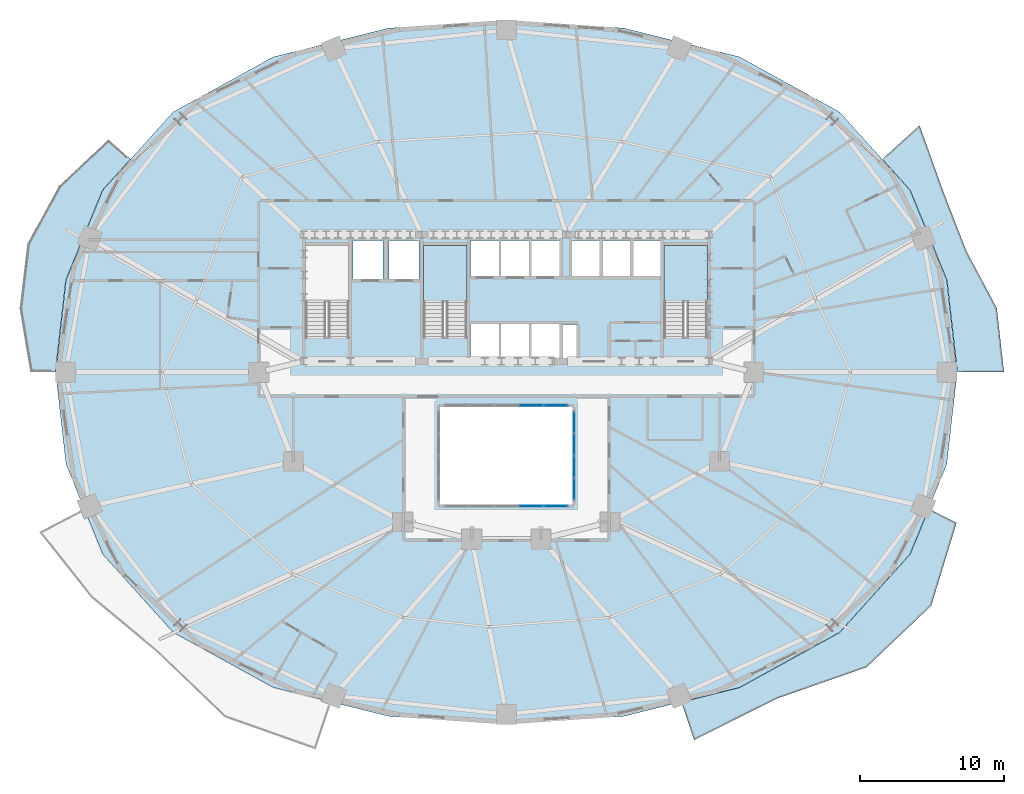
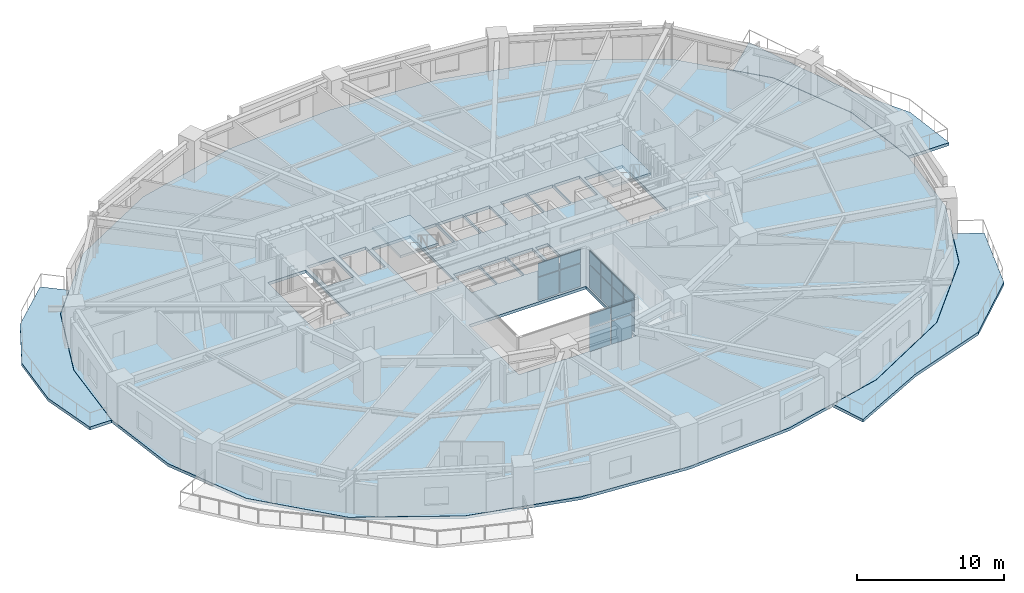
# One storey, part 8 of 17: 16 plates, 6 slabs, 5 elements without a shape of their own.
"""IFC4 building model written with IfcOpenShell, lengths in metres."""

from ifc_helpers import new_model, si_unit, direction, frame, origin, origin_2d, place, context, subcontext, project, spatial, polyline, rectangle, outline, extrude, material, layer, layer_set, type_object, element, aggregate, save


model = new_model("IFC4")

# Units and contexts
model_context = context("Model", 3, precision=1e-05, world=origin(), true_north=direction((0.0, 1.0)))
body_context = subcontext(model_context, "Body", "Model", "MODEL_VIEW")
ifc_project = project(units=[si_unit("LENGTHUNIT", "METRE"), si_unit("AREAUNIT", "SQUARE_METRE"), si_unit("VOLUMEUNIT", "CUBIC_METRE"), si_unit("PLANEANGLEUNIT", "RADIAN"), si_unit("MASSUNIT", "GRAM", prefix="KILO")], contexts=[model_context])

# Site, building, storey
site_placement = place(None, origin())
site = spatial("IfcSite", under=ifc_project, at=site_placement, CompositionType="ELEMENT")
building_placement = place(site_placement, origin())
building = spatial("IfcBuilding", under=site, at=building_placement, Name="Haldorwick Loom Tower", CompositionType="ELEMENT")
storey_placement = place(building_placement, frame((0.0, 0.0, 61.949951171875)))
storey = spatial("IfcBuildingStorey", under=building, at=storey_placement, Name="L16", CompositionType="ELEMENT", Elevation=61.949951171875)

# Curtain wall, plates
ifc_material_1 = material(Name="Thermally Broken Anodized Aluminium Curtain Wall Framing", Category="aluminium")
curtain_wall_type = type_object("IfcCurtainWallType", Name="ARC-CW-03", PredefinedType="NOTDEFINED", material=ifc_material_1)
curtain_wall_1_placement = place(storey_placement, origin())
curtain_wall_1 = element("IfcCurtainWall", 1, at=curtain_wall_1_placement, inside=storey, type_object=curtain_wall_type, Name="L16 Atrium Glazed Screen S", PredefinedType="NOTDEFINED")
ifc_material_2 = material(Name="Triple-Glazed Low-E Argon Insulated Glazing Unit", Category="glass")
ifc_layer_1 = layer(ifc_material_2, 0.04296875, Name="Triple-Glazed Low-E Argon Insulated Glazing Unit", Category="glass")
ifc_layer_set_1 = layer_set([ifc_layer_1], Name="Triple-Glazed Low-E Argon Insulated Glazing Unit")
plate_type = type_object("IfcPlateType", Name="ARC-CWP-03", PredefinedType="CURTAIN_PANEL", material=ifc_layer_set_1)
plate_1_placement = place(storey_placement, frame((39.423583984375, 16.699951171875, 0.066162109375), z_axis=(0.0, 0.0, 1.0), x_axis=(-1.0, 0.0, 0.0)))
plate_1 = element("IfcPlate", 2, at=plate_1_placement, type_object=plate_type, Name="CW-03 panel 1.1", PredefinedType="CURTAIN_PANEL", context=body_context, shape_type="SweptSolid", body=[
    extrude(rectangle(XDim=1.62109375, YDim=0.04296875, at=origin_2d()), origin(), (0.0, 0.0, 1.0), 1.90087890625),
])
plate_2_placement = place(storey_placement, frame((39.423583984375, 16.699951171875, 2.033203125), z_axis=(0.0, 0.0, 1.0), x_axis=(-1.0, 0.0, 0.0)))
plate_2 = element("IfcPlate", 3, at=plate_2_placement, type_object=plate_type, Name="CW-03 panel 1.2", PredefinedType="CURTAIN_PANEL", context=body_context, shape_type="SweptSolid", body=[
    extrude(rectangle(XDim=1.62109375, YDim=0.04296875, at=origin_2d()), origin(), (0.0, 0.0, 1.0), 1.111083984375),
])
plate_3_placement = place(storey_placement, frame((37.719970703125, 16.699951171875, 0.066162109375), z_axis=(0.0, 0.0, 1.0), x_axis=(-1.0, 0.0, 0.0)))
plate_3 = element("IfcPlate", 4, at=plate_3_placement, type_object=plate_type, Name="CW-03 panel 2.1", PredefinedType="CURTAIN_PANEL", context=body_context, shape_type="SweptSolid", body=[
    extrude(rectangle(XDim=1.654052734375, YDim=0.04296875, at=origin_2d()), origin(), (0.0, 0.0, 1.0), 1.90087890625),
])
plate_4_placement = place(storey_placement, frame((37.719970703125, 16.699951171875, 2.033203125), z_axis=(0.0, 0.0, 1.0), x_axis=(-1.0, 0.0, 0.0)))
plate_4 = element("IfcPlate", 5, at=plate_4_placement, type_object=plate_type, Name="CW-03 panel 2.2", PredefinedType="CURTAIN_PANEL", context=body_context, shape_type="SweptSolid", body=[
    extrude(rectangle(XDim=1.654052734375, YDim=0.04296875, at=origin_2d()), origin(), (0.0, 0.0, 1.0), 1.111083984375),
])
aggregate(curtain_wall_1, [plate_1, plate_2, plate_3, plate_4])

curtain_wall_2_placement = place(storey_placement, origin())
curtain_wall_2 = element("IfcCurtainWall", 6, at=curtain_wall_2_placement, inside=storey, type_object=curtain_wall_type, Name="L16 Atrium Glazed Screen N", PredefinedType="NOTDEFINED")
plate_5_placement = place(storey_placement, frame((37.719970703125, 23.699951171875, 0.066162109375), z_axis=(0.0, 0.0, 1.0), x_axis=(1.0, 0.0, 0.0)))
plate_5 = element("IfcPlate", 7, at=plate_5_placement, type_object=plate_type, Name="CW-03 panel 4.1", PredefinedType="CURTAIN_PANEL", context=body_context, shape_type="SweptSolid", body=[
    extrude(rectangle(XDim=1.654052734375, YDim=0.04296875, at=origin_2d()), origin(), (0.0, 0.0, 1.0), 1.90087890625),
])
plate_6_placement = place(storey_placement, frame((37.719970703125, 23.699951171875, 2.033203125), z_axis=(0.0, 0.0, 1.0), x_axis=(1.0, 0.0, 0.0)))
plate_6 = element("IfcPlate", 8, at=plate_6_placement, type_object=plate_type, Name="CW-03 panel 4.2", PredefinedType="CURTAIN_PANEL", context=body_context, shape_type="SweptSolid", body=[
    extrude(rectangle(XDim=1.654052734375, YDim=0.04296875, at=origin_2d()), origin(), (0.0, 0.0, 1.0), 1.111083984375),
])
plate_7_placement = place(storey_placement, frame((39.423583984375, 23.699951171875, 0.066162109375), z_axis=(0.0, 0.0, 1.0), x_axis=(1.0, 0.0, 0.0)))
plate_7 = element("IfcPlate", 9, at=plate_7_placement, type_object=plate_type, Name="CW-03 panel 5.1", PredefinedType="CURTAIN_PANEL", context=body_context, shape_type="SweptSolid", body=[
    extrude(rectangle(XDim=1.62109375, YDim=0.04296875, at=origin_2d()), origin(), (0.0, 0.0, 1.0), 1.90087890625),
])
plate_8_placement = place(storey_placement, frame((39.423583984375, 23.699951171875, 2.033203125), z_axis=(0.0, 0.0, 1.0), x_axis=(1.0, 0.0, 0.0)))
plate_8 = element("IfcPlate", 10, at=plate_8_placement, type_object=plate_type, Name="CW-03 panel 5.2", PredefinedType="CURTAIN_PANEL", context=body_context, shape_type="SweptSolid", body=[
    extrude(rectangle(XDim=1.62109375, YDim=0.04296875, at=origin_2d()), origin(), (0.0, 0.0, 1.0), 1.111083984375),
])
aggregate(curtain_wall_2, [plate_5, plate_6, plate_7, plate_8])

curtain_wall_3_placement = place(storey_placement, origin())
curtain_wall_3 = element("IfcCurtainWall", 11, at=curtain_wall_3_placement, inside=storey, type_object=curtain_wall_type, Name="L16 Atrium Glazed Screen E", PredefinedType="NOTDEFINED")
plate_9_placement = place(storey_placement, frame((40.699951171875, 22.508544921875, 0.066162109375), z_axis=(0.0, 0.0, 1.0), x_axis=(0.0, -1.0, 0.0)))
plate_9 = element("IfcPlate", 12, at=plate_9_placement, type_object=plate_type, Name="CW-03 panel 1.1", PredefinedType="CURTAIN_PANEL", context=body_context, shape_type="SweptSolid", body=[
    extrude(rectangle(XDim=1.450927734375, YDim=0.04296875, at=origin_2d()), origin(), (0.0, 0.0, 1.0), 1.90087890625),
])
plate_10_placement = place(storey_placement, frame((40.699951171875, 22.508544921875, 2.033203125), z_axis=(0.0, 0.0, 1.0), x_axis=(0.0, -1.0, 0.0)))
plate_10 = element("IfcPlate", 13, at=plate_10_placement, type_object=plate_type, Name="CW-03 panel 1.2", PredefinedType="CURTAIN_PANEL", context=body_context, shape_type="SweptSolid", body=[
    extrude(rectangle(XDim=1.450927734375, YDim=0.04296875, at=origin_2d()), origin(), (0.0, 0.0, 1.0), 1.111083984375),
])
plate_11_placement = place(storey_placement, frame((40.699951171875, 20.97509765625, 0.066162109375), z_axis=(0.0, 0.0, 1.0), x_axis=(0.0, -1.0, 0.0)))
plate_11 = element("IfcPlate", 14, at=plate_11_placement, type_object=plate_type, Name="CW-03 panel 2.1", PredefinedType="CURTAIN_PANEL", context=body_context, shape_type="SweptSolid", body=[
    extrude(rectangle(XDim=1.48388671875, YDim=0.04296875, at=origin_2d()), origin(), (0.0, 0.0, 1.0), 1.90087890625),
])
plate_12_placement = place(storey_placement, frame((40.699951171875, 20.97509765625, 2.033203125), z_axis=(0.0, 0.0, 1.0), x_axis=(0.0, -1.0, 0.0)))
plate_12 = element("IfcPlate", 15, at=plate_12_placement, type_object=plate_type, Name="CW-03 panel 2.2", PredefinedType="CURTAIN_PANEL", context=body_context, shape_type="SweptSolid", body=[
    extrude(rectangle(XDim=1.48388671875, YDim=0.04296875, at=origin_2d()), origin(), (0.0, 0.0, 1.0), 1.111083984375),
])
plate_13_placement = place(storey_placement, frame((40.699951171875, 19.425048828125, 0.066162109375), z_axis=(0.0, 0.0, 1.0), x_axis=(0.0, -1.0, 0.0)))
plate_13 = element("IfcPlate", 16, at=plate_13_placement, type_object=plate_type, Name="CW-03 panel 3.1", PredefinedType="CURTAIN_PANEL", context=body_context, shape_type="SweptSolid", body=[
    extrude(rectangle(XDim=1.48388671875, YDim=0.04296875, at=origin_2d()), origin(), (0.0, 0.0, 1.0), 1.90087890625),
])
plate_14_placement = place(storey_placement, frame((40.699951171875, 19.425048828125, 2.033203125), z_axis=(0.0, 0.0, 1.0), x_axis=(0.0, -1.0, 0.0)))
plate_14 = element("IfcPlate", 17, at=plate_14_placement, type_object=plate_type, Name="CW-03 panel 3.2", PredefinedType="CURTAIN_PANEL", context=body_context, shape_type="SweptSolid", body=[
    extrude(rectangle(XDim=1.48388671875, YDim=0.04296875, at=origin_2d()), origin(), (0.0, 0.0, 1.0), 1.111083984375),
])
plate_15_placement = place(storey_placement, frame((40.699951171875, 17.8916015625, 0.066162109375), z_axis=(0.0, 0.0, 1.0), x_axis=(0.0, -1.0, 0.0)))
plate_15 = element("IfcPlate", 18, at=plate_15_placement, type_object=plate_type, Name="CW-03 panel 4.1", PredefinedType="CURTAIN_PANEL", context=body_context, shape_type="SweptSolid", body=[
    extrude(rectangle(XDim=1.450927734375, YDim=0.04296875, at=origin_2d()), origin(), (0.0, 0.0, 1.0), 1.90087890625),
])
plate_16_placement = place(storey_placement, frame((40.699951171875, 17.8916015625, 2.033203125), z_axis=(0.0, 0.0, 1.0), x_axis=(0.0, -1.0, 0.0)))
plate_16 = element("IfcPlate", 19, at=plate_16_placement, type_object=plate_type, Name="CW-03 panel 4.2", PredefinedType="CURTAIN_PANEL", context=body_context, shape_type="SweptSolid", body=[
    extrude(rectangle(XDim=1.450927734375, YDim=0.04296875, at=origin_2d()), origin(), (0.0, 0.0, 1.0), 1.111083984375),
])
aggregate(curtain_wall_3, [plate_9, plate_10, plate_11, plate_12, plate_13, plate_14, plate_15, plate_16])

# Slabs
ifc_material_3 = material(Name="Concrete C40 (40 MPa)", Category="concrete")
ifc_layer_2 = layer(ifc_material_3, 0.239990234375, Name="Concrete C40 (40 MPa)", Category="concrete")
ifc_layer_set_2 = layer_set([ifc_layer_2], Name="Concrete C40 (40 MPa)")
slab_type_1 = type_object("IfcSlabType", Name="STR-SLB-BAL240", PredefinedType="FLOOR", material=ifc_layer_set_2)
slab_1_placement = place(storey_placement, frame((0.0, 0.0, -0.239990234375)))
element("IfcSlab", 20, at=slab_1_placement, inside=storey, type_object=slab_type_1, Name="L16 Sinusoidal Balcony Terrace BAL_SE", PredefinedType="FLOOR", context=body_context, shape_type="SweptSolid", body=[
    extrude(outline(polyline([(65.32470703125, 16.51806640625), (64.031494140625, 13.356689453125), (64.031005859375, 13.355712890625), (64.030517578125, 13.3544921875), (64.02978515625, 13.353515625), (64.02880859375, 13.3525390625), (59.13623046875, 7.92333984375), (59.13525390625, 7.922119140625), (59.1337890625, 7.921142578125), (59.13232421875, 7.92041015625), (52.18310546875, 4.09814453125), (52.18212890625, 4.097412109375), (52.180908203125, 4.096923828125), (52.1796875, 4.0966796875), (48.15234375, 3.091064453125), (49.03271484375, 0.4716796875), (54.848876953125, 3.368896484375), (61.010009765625, 5.52099609375), (65.49072265625, 9.7822265625), (67.24951171875, 15.539306640625), (65.32470703125, 16.51806640625)])), origin(), (0.0, 0.0, 1.0), 0.239990234375),
])
slab_2_placement = place(storey_placement, frame((0.0, 0.0, -0.239990234375)))
element("IfcSlab", 21, at=slab_2_placement, inside=storey, type_object=slab_type_1, Name="L16 Sinusoidal Balcony Terrace BAL_WNW", PredefinedType="FLOOR", context=body_context, shape_type="SweptSolid", body=[
    extrude(outline(polyline([(4.68896484375, 26.0), (4.689208984375, 26.001708984375), (5.41552734375, 32.40087890625), (5.415771484375, 32.40234375), (5.416015625, 32.40380859375), (5.41650390625, 32.405029296875), (7.968505859375, 38.643310546875), (7.968994140625, 38.644287109375), (7.969482421875, 38.6455078125), (7.97021484375, 38.646484375), (7.97119140625, 38.6474609375), (9.90087890625, 40.788818359375), (8.386474609375, 42.1318359375), (4.966552734375, 38.94482421875), (2.772216796875, 34.9208984375), (2.2333984375, 30.393310546875), (2.9775390625, 26.0), (4.68896484375, 26.0)])), origin(), (0.0, 0.0, 1.0), 0.239990234375),
])
slab_3_placement = place(storey_placement, frame((0.0, 0.0, -0.239990234375)))
element("IfcSlab", 22, at=slab_3_placement, inside=storey, type_object=slab_type_1, Name="L16 Sinusoidal Balcony Terrace BAL_ENE", PredefinedType="FLOOR", context=body_context, shape_type="SweptSolid", body=[
    extrude(outline(polyline([(62.098388671875, 40.789794921875), (64.02880859375, 38.6474609375), (64.02978515625, 38.646484375), (64.030517578125, 38.6455078125), (64.031005859375, 38.644287109375), (64.031494140625, 38.643310546875), (66.58349609375, 32.405029296875), (66.583984375, 32.40380859375), (66.584228515625, 32.40234375), (66.58447265625, 32.40087890625), (67.310791015625, 26.001708984375), (67.31103515625, 26.0), (70.5458984375, 26.0), (70.043701171875, 30.449462890625), (67.945556640625, 34.3876953125), (66.34619140625, 38.49658203125), (64.68408203125, 43.12744140625), (62.098388671875, 40.789794921875)])), origin(), (0.0, 0.0, 1.0), 0.239990234375),
])

# Stair, slab
stair_type = type_object("IfcStairType", Name="STR-STR-CORE", PredefinedType="HALF_TURN_STAIR", material=ifc_material_3)
stair_1_placement = place(storey_placement, origin())
stair_1 = element("IfcStair", 23, at=stair_1_placement, inside=storey, type_object=stair_type, Name="L16 Exit Stair ST-02", PredefinedType="HALF_TURN_STAIR")
ifc_layer_3 = layer(ifc_material_3, 0.199951171875, Name="Concrete C40 (40 MPa)", Category="concrete")
ifc_layer_set_3 = layer_set([ifc_layer_3], Name="Concrete C40 (40 MPa)")
slab_type_2 = type_object("IfcSlabType", Name="STR-SLB-LAND200", PredefinedType="LANDING", material=ifc_layer_set_3)
slab_4_placement = place(storey_placement, frame((0.0, 0.0, 1.525146484375)))
slab_4 = element("IfcSlab", 24, at=slab_4_placement, type_object=slab_type_2, Name="ST-02 landing 1", PredefinedType="LANDING", context=body_context, shape_type="SweptSolid", body=[
    extrude(outline(polyline([(49.949951171875, 30.919921875), (49.949951171875, 34.800048828125), (46.949951171875, 34.800048828125), (46.949951171875, 30.919921875), (49.949951171875, 30.919921875)])), origin(), (0.0, 0.0, 1.0), 0.199951171875),
])
aggregate(stair_1, [slab_4])

stair_2_placement = place(storey_placement, origin())
stair_2 = element("IfcStair", 25, at=stair_2_placement, inside=storey, type_object=stair_type, Name="L16 Exit Stair ST-03", PredefinedType="HALF_TURN_STAIR")
slab_5_placement = place(storey_placement, frame((0.0, 0.0, 1.525146484375)))
slab_5 = element("IfcSlab", 26, at=slab_5_placement, type_object=slab_type_2, Name="ST-03 landing 1", PredefinedType="LANDING", context=body_context, shape_type="SweptSolid", body=[
    extrude(outline(polyline([(33.25, 30.919921875), (33.25, 34.800048828125), (30.25, 34.800048828125), (30.25, 30.919921875), (33.25, 30.919921875)])), origin(), (0.0, 0.0, 1.0), 0.199951171875),
])
aggregate(stair_2, [slab_5])

# Slab
ifc_layer_4 = layer(ifc_material_3, 0.239990234375, Name="Concrete C40 (40 MPa)", Category="concrete")
ifc_layer_set_4 = layer_set([ifc_layer_4], Name="Concrete C40 (40 MPa)")
slab_type_3 = type_object("IfcSlabType", Name="STR-SLB-RES240", PredefinedType="FLOOR", material=ifc_layer_set_4)
slab_6_placement = place(storey_placement, frame((0.0, 0.0, -0.239990234375)))
element("IfcSlab", 27, at=slab_6_placement, inside=storey, type_object=slab_type_3, Name="L16 Residential Structural Floor Slab", PredefinedType="FLOOR", context=body_context, shape_type="SweptSolid", body=[
    extrude(outline(polyline([(59.125244140625, 7.933349609375), (64.017578125, 13.362548828125), (66.569580078125, 19.6005859375), (67.2958984375, 26.0), (66.569580078125, 32.3994140625), (64.017578125, 38.637451171875), (59.125244140625, 44.066650390625), (52.176025390625, 47.888916015625), (44.191162109375, 49.882568359375), (36.0, 50.449951171875), (27.808837890625, 49.882568359375), (19.823974609375, 47.888916015625), (12.874755859375, 44.066650390625), (7.982421875, 38.637451171875), (5.430419921875, 32.3994140625), (4.7041015625, 26.0), (5.430419921875, 19.6005859375), (7.982421875, 13.362548828125), (12.874755859375, 7.933349609375), (19.823974609375, 4.111083984375), (27.808837890625, 2.117431640625), (36.0, 1.550048828125), (44.191162109375, 2.117431640625), (52.176025390625, 4.111083984375), (59.125244140625, 7.933349609375)]), holes=[polyline([(31.39990234375, 23.60009765625), (40.60009765625, 23.60009765625), (40.60009765625, 16.800048828125), (31.39990234375, 16.800048828125), (31.39990234375, 23.60009765625)]), polyline([(33.5, 26.85009765625), (33.5, 29.35009765625), (35.5, 29.35009765625), (35.5, 26.85009765625), (33.5, 26.85009765625)]), polyline([(22.050048828125, 28.39990234375), (22.050048828125, 34.800048828125), (25.050048828125, 34.800048828125), (25.050048828125, 28.639892578125), (23.6201171875, 28.639892578125), (23.6201171875, 28.39990234375), (22.050048828125, 28.39990234375)]), polyline([(30.25, 28.39990234375), (30.25, 34.800048828125), (33.25, 34.800048828125), (33.25, 28.639892578125), (31.820068359375, 28.639892578125), (31.820068359375, 28.39990234375), (30.25, 28.39990234375)]), polyline([(25.35009765625, 32.449951171875), (25.35009765625, 35.14990234375), (27.449951171875, 35.14990234375), (27.449951171875, 32.449951171875), (25.35009765625, 32.449951171875)]), polyline([(27.85009765625, 32.449951171875), (27.85009765625, 35.14990234375), (29.949951171875, 35.14990234375), (29.949951171875, 32.449951171875), (27.85009765625, 32.449951171875)]), polyline([(33.5, 32.64990234375), (33.5, 35.14990234375), (35.5, 35.14990234375), (35.5, 32.64990234375), (33.5, 32.64990234375)]), polyline([(35.60009765625, 32.64990234375), (35.60009765625, 35.14990234375), (37.60009765625, 35.14990234375), (37.60009765625, 32.64990234375), (35.60009765625, 32.64990234375)]), polyline([(35.60009765625, 26.85009765625), (35.60009765625, 29.35009765625), (37.60009765625, 29.35009765625), (37.60009765625, 26.85009765625), (35.60009765625, 26.85009765625)]), polyline([(37.699951171875, 26.85009765625), (37.699951171875, 29.35009765625), (39.699951171875, 29.35009765625), (39.699951171875, 26.85009765625), (37.699951171875, 26.85009765625)]), polyline([(39.89990234375, 26.89990234375), (39.89990234375, 29.300048828125), (40.89990234375, 29.300048828125), (40.89990234375, 26.89990234375), (39.89990234375, 26.89990234375)]), polyline([(46.949951171875, 28.39990234375), (46.949951171875, 34.800048828125), (49.949951171875, 34.800048828125), (49.949951171875, 28.639892578125), (48.52001953125, 28.639892578125), (48.52001953125, 28.39990234375), (46.949951171875, 28.39990234375)]), polyline([(37.699951171875, 32.64990234375), (37.699951171875, 35.14990234375), (39.699951171875, 35.14990234375), (39.699951171875, 32.64990234375), (37.699951171875, 32.64990234375)]), polyline([(40.550048828125, 32.64990234375), (40.550048828125, 35.14990234375), (42.550048828125, 35.14990234375), (42.550048828125, 32.64990234375), (40.550048828125, 32.64990234375)]), polyline([(42.64990234375, 32.64990234375), (42.64990234375, 35.14990234375), (44.64990234375, 35.14990234375), (44.64990234375, 32.64990234375), (42.64990234375, 32.64990234375)]), polyline([(44.75, 32.64990234375), (44.75, 35.14990234375), (46.75, 35.14990234375), (46.75, 32.64990234375), (44.75, 32.64990234375)])]), origin(), (0.0, 0.0, 1.0), 0.239990234375),
])

save(model, "model.ifc")
